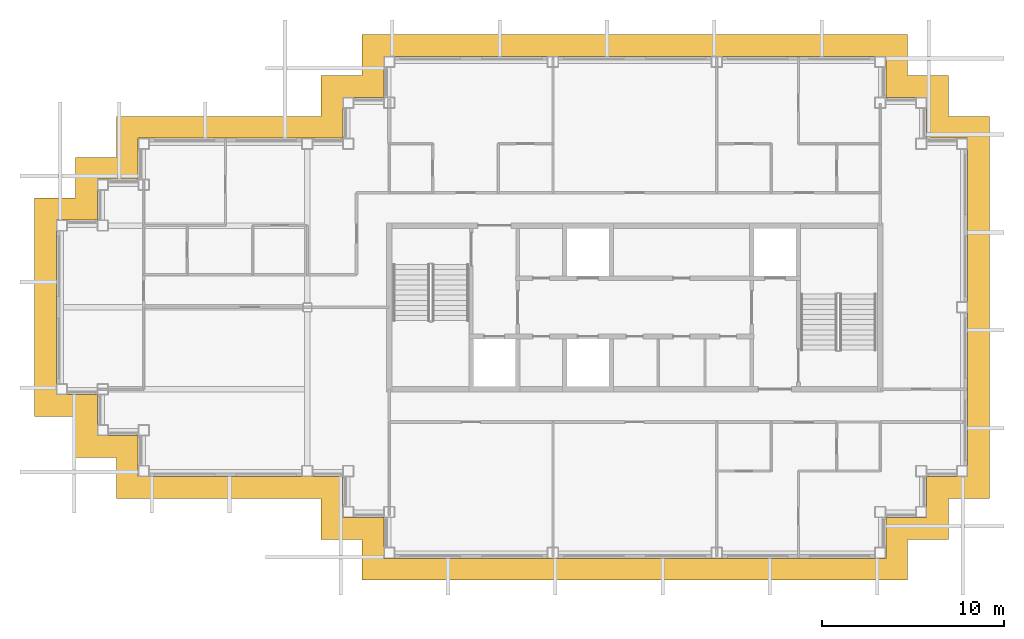
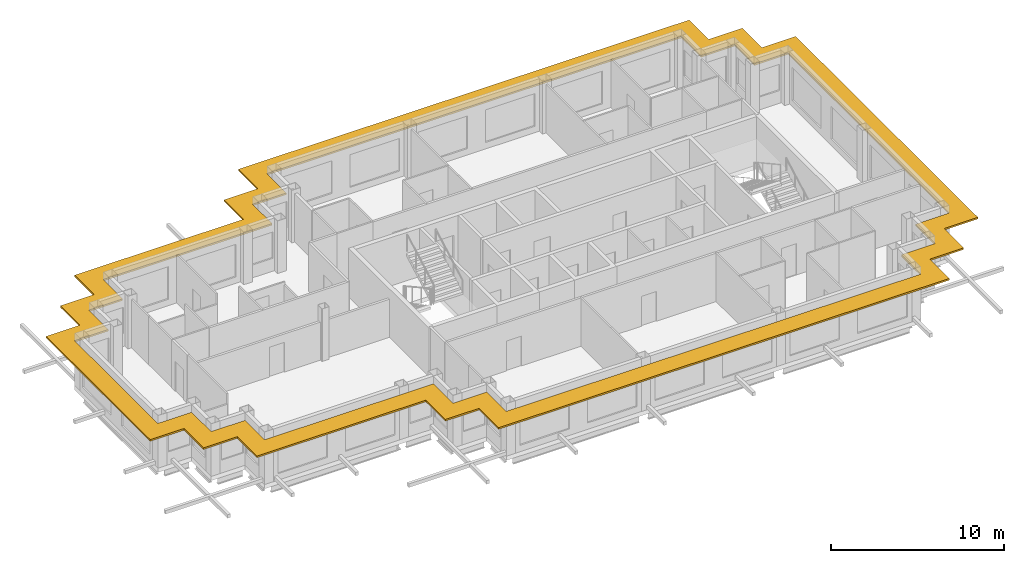
# One storey, part 10 of 11: 1 shading device.
"""IFC4 building model written with IfcOpenShell, lengths in metres."""

import ifcopenshell
import ifcopenshell.guid

model = None  # the IFC model being written
_history = None  # IfcOwnerHistory: only IFC2X3 demands one
_inside = {}  # id of a spatial element -> (the spatial element, [elements in it])
_under = {}  # id of a project, library or spatial element -> (it, [spatial elements below it])
_declared = {}  # id of a project -> (the project, [libraries it declares])
_typed = {}  # id of a type object -> (the type object, [elements of that type])
_made_of = {}  # id of a material, layer set ... -> (it, [elements and type objects made of it])


def new_model(schema):
    """Start an empty IFC model of exactly this schema.

    Asked for "IFC4X3", IfcOpenShell would pick the latest addendum, in which some entities
    have other attributes; the version numbers below select the first issue.
    IFC2X3 requires an IfcOwnerHistory on every rooted entity: one is made here for all.
    """
    global model, _history
    if schema == "IFC4X3":
        model = ifcopenshell.file(schema_version=(4, 3, 0, 0))
    else:
        model = ifcopenshell.file(schema=schema)
    _inside.clear()
    _under.clear()
    _declared.clear()
    _typed.clear()
    _made_of.clear()
    _history = None
    if model.schema == "IFC2X3":
        org = make("IfcOrganization", Name="unknown")
        user = make(
            "IfcPersonAndOrganization",
            ThePerson=make("IfcPerson", FamilyName="unknown"),
            TheOrganization=org,
        )
        app = make(
            "IfcApplication",
            ApplicationDeveloper=org,
            Version="unknown",
            ApplicationFullName="unknown",
            ApplicationIdentifier="unknown",
        )
        _history = make(
            "IfcOwnerHistory",
            OwningUser=user,
            OwningApplication=app,
            ChangeAction="ADDED",
            CreationDate=0,
        )
    return model


def make(cls, **values):
    """One entity of the class cls with the attributes given. An attribute that is None is left unset."""
    return model.create_entity(
        cls, **{name: value for name, value in values.items() if value is not None}
    )


def rooted(cls, **values):
    """An entity with a GlobalId (a new one), such as an element, a storey or a relation."""
    return make(cls, GlobalId=ifcopenshell.guid.new(), OwnerHistory=_history, **values)


def si_unit(unit_type, name, prefix=None):
    """IfcSIUnit, for example si_unit("LENGTHUNIT", "METRE", prefix="MILLI")."""
    return make("IfcSIUnit", UnitType=unit_type, Prefix=prefix, Name=name)


def assignment(units):
    """IfcUnitAssignment: the units of a project."""
    return None if units is None else make("IfcUnitAssignment", Units=units)


def point(xyz):
    """IfcCartesianPoint."""
    return None if xyz is None else make("IfcCartesianPoint", Coordinates=xyz)


def direction(xyz):
    """IfcDirection."""
    return None if xyz is None else make("IfcDirection", DirectionRatios=xyz)


def frame(location, z_axis=None, x_axis=None):
    """IfcAxis2Placement3D, a coordinate frame: its origin and axes. An axis left out is left unset."""
    return make(
        "IfcAxis2Placement3D",
        Location=point(location),
        Axis=direction(z_axis),
        RefDirection=direction(x_axis),
    )


def origin():
    """The frame at (0, 0, 0) with its axes left unset."""
    return frame((0.0, 0.0, 0.0))


def place(relative_to, where):
    """IfcLocalPlacement: puts the frame where relative to a parent placement (None: the world)."""
    return make(
        "IfcLocalPlacement", PlacementRelTo=relative_to, RelativePlacement=where
    )


def context(
    kind, dimensions, precision=None, world=None, true_north=None, identifier=None
):
    """IfcGeometricRepresentationContext, for example the 3D "Model" context."""
    return make(
        "IfcGeometricRepresentationContext",
        ContextIdentifier=identifier,
        ContextType=kind,
        CoordinateSpaceDimension=dimensions,
        Precision=precision,
        WorldCoordinateSystem=world,
        TrueNorth=true_north,
    )


def subcontext(parent, identifier, kind, view, scale=None):
    """IfcGeometricRepresentationSubContext, for example "Body" below "Model"."""
    return make(
        "IfcGeometricRepresentationSubContext",
        ContextIdentifier=identifier,
        ContextType=kind,
        ParentContext=parent,
        TargetScale=scale,
        TargetView=view,
    )


def project(units=None, contexts=None):
    """IfcProject with its units and contexts."""
    return rooted(
        "IfcProject",
        Name="project",
        RepresentationContexts=contexts,
        UnitsInContext=assignment(units),
    )


def spatial(cls, under=None, at=None, **own):
    """A site, building, storey or space (cls), placed at a placement, below another one or the project."""
    s = rooted(cls, ObjectPlacement=at, **own)
    if under is not None:
        _under.setdefault(under.id(), (under, []))[1].append(s)
    return s


def polyline(points):
    """IfcPolyline through the points."""
    return make("IfcPolyline", Points=[point(p) for p in points])


def outline(outer, holes=None, kind="AREA"):
    """IfcArbitraryClosedProfileDef: a profile drawn as a closed curve; with holes, ...WithVoids."""
    if holes is None:
        return make("IfcArbitraryClosedProfileDef", ProfileType=kind, OuterCurve=outer)
    return make(
        "IfcArbitraryProfileDefWithVoids",
        ProfileType=kind,
        OuterCurve=outer,
        InnerCurves=holes,
    )


def extrude(swept, where, along, depth):
    """IfcExtrudedAreaSolid: the profile swept, set in the frame where, extruded along a direction by depth."""
    return make(
        "IfcExtrudedAreaSolid",
        SweptArea=swept,
        Position=where,
        ExtrudedDirection=direction(along),
        Depth=depth,
    )


def shape(context_of_items, identifier, shape_type, items):
    """IfcShapeRepresentation: the items that make up one representation, for example the "Body"."""
    return make(
        "IfcShapeRepresentation",
        ContextOfItems=context_of_items,
        RepresentationIdentifier=identifier,
        RepresentationType=shape_type,
        Items=items,
    )


def material(Name=None, Category=None):
    """IfcMaterial."""
    return make("IfcMaterial", Name=Name, Category=Category)


def layer(
    of_material, thickness, ventilated=None, Name=None, Category=None, Priority=None
):
    """IfcMaterialLayer: one layer of a wall or slab, of a material (None: an air gap)."""
    return make(
        "IfcMaterialLayer",
        Material=of_material,
        LayerThickness=thickness,
        IsVentilated=ventilated,
        Name=Name,
        Category=Category,
        Priority=Priority,
    )


def layer_set(layers, Name=None):
    """IfcMaterialLayerSet."""
    return make("IfcMaterialLayerSet", MaterialLayers=layers, LayerSetName=Name)


def made_of(thing, what):
    """Note that an element or type object is made of a material, layer set ...; save() writes the relation."""
    if what is not None:
        _made_of.setdefault(what.id(), (what, []))[1].append(thing)
    return thing


def type_object(cls, material=None, **own):
    """A type object (cls), such as IfcWallType, which elements share."""
    return made_of(rooted(cls, **own), material)


def element(
    cls,
    number,
    at=None,
    inside=None,
    cuts=None,
    type_object=None,
    material=None,
    context=None,
    identifier="Body",
    shape_type=None,
    held_by="IfcProductDefinitionShape",
    body=None,
    shapes=None,
    **own,
):
    """One element of the class cls, such as IfcWall. Its Tag is "e" and its number.

    at: its placement. inside: the storey or other place that contains it. cuts: it is an
    opening in that element (IfcRelVoidsElement). A single representation is given by context,
    identifier, shape_type and body (its items); several are given by shapes. held_by: the class
    of the entity that holds the representations. save() writes the other relations.
    """
    e = rooted(cls, Tag="e%d" % number, ObjectPlacement=at, **own)
    if body is not None:
        shapes = [shape(context, identifier, shape_type, body)]
    if shapes is not None:
        e.Representation = make(held_by, Representations=shapes)
    if inside is not None:
        _inside.setdefault(inside.id(), (inside, []))[1].append(e)
    if cuts is not None:
        rooted(
            "IfcRelVoidsElement", RelatingBuildingElement=cuts, RelatedOpeningElement=e
        )
    if type_object is not None:
        _typed.setdefault(type_object.id(), (type_object, []))[1].append(e)
    return made_of(e, material)


def aggregate(whole, parts):
    """IfcRelAggregates: a whole, such as a stair, and the parts it consists of."""
    return rooted("IfcRelAggregates", RelatingObject=whole, RelatedObjects=parts)


def save(model, path):
    """Write the relations noted so far, then the file.

    IfcRelAggregates (storeys below a building ...), IfcRelContainedInSpatialStructure (elements
    in a storey), IfcRelDefinesByType, IfcRelAssociatesMaterial and IfcRelDeclares: one each for
    every whole, place, type object, material and project.
    """
    for whole, parts in _under.values():
        aggregate(whole, parts)
    for where, things in _inside.values():
        rooted(
            "IfcRelContainedInSpatialStructure",
            RelatedElements=things,
            RelatingStructure=where,
        )
    for kind, things in _typed.values():
        rooted("IfcRelDefinesByType", RelatedObjects=things, RelatingType=kind)
    for what, things in _made_of.values():
        rooted("IfcRelAssociatesMaterial", RelatedObjects=things, RelatingMaterial=what)
    for by, libraries in _declared.values():
        rooted("IfcRelDeclares", RelatingContext=by, RelatedDefinitions=libraries)
    model.write(path)


model = new_model("IFC4")

# Units and contexts
model_context = context("Model", 3, precision=1e-05, world=origin(), true_north=direction((0.0, 1.0)))
body_context = subcontext(model_context, "Body", "Model", "MODEL_VIEW")
ifc_project = project(units=[si_unit("LENGTHUNIT", "METRE"), si_unit("AREAUNIT", "SQUARE_METRE"), si_unit("VOLUMEUNIT", "CUBIC_METRE"), si_unit("PLANEANGLEUNIT", "RADIAN"), si_unit("MASSUNIT", "GRAM", prefix="KILO")], contexts=[model_context])

# Site, building, storey
site_placement = place(None, origin())
site = spatial("IfcSite", under=ifc_project, at=site_placement, CompositionType="ELEMENT")
building_placement = place(site_placement, origin())
building = spatial("IfcBuilding", under=site, at=building_placement, Name="Caravel Reach Hotel and Residences", CompositionType="ELEMENT")
storey_placement = place(building_placement, frame((0.0, 0.0, 263.800048828125)))
storey = spatial("IfcBuildingStorey", under=building, at=storey_placement, Name="L67", CompositionType="ELEMENT", Elevation=263.800048828125)

# Shading device
ifc_material = material(Name="Black powder-coated aluminium", Category="aluminium")
ifc_layer = layer(ifc_material, 0.1201171875)
ifc_layer_set = layer_set([ifc_layer], Name="SS1 Sunshade band 1200")
shading_device_type = type_object("IfcShadingDeviceType", Name="SS1 Sunshade band 1200", PredefinedType="USERDEFINED", material=ifc_layer_set)
shading_device_placement = place(storey_placement, frame((0.0, 0.0, 3.0400390625)))
element("IfcShadingDevice", 1, at=shading_device_placement, inside=storey, type_object=shading_device_type, Name="Sunshade L67 1", ObjectType="SUNSHADE", PredefinedType="USERDEFINED", context=body_context, shape_type="SweptSolid", body=[
    extrude(outline(polyline([(3.0, 16.5), (14.25, 16.5), (14.25, 14.25), (16.5, 14.25), (16.5, 12.0), (46.5, 12.0), (46.5, 14.25), (48.75, 14.25), (48.75, 16.5), (51.0, 16.5), (51.0, 37.5), (48.75, 37.5), (48.75, 39.75), (46.5, 39.75), (46.5, 42.0), (16.5, 42.0), (16.5, 39.75), (14.25, 39.75), (14.25, 37.5), (3.0, 37.5), (3.0, 35.25), (0.75, 35.25), (0.75, 33.0), (-1.5, 33.0), (-1.5, 21.0), (0.75, 21.0), (0.75, 18.75), (3.0, 18.75), (3.0, 16.5)]), holes=[polyline([(15.449951171875, 15.449951171875), (15.449951171875, 17.699951171875), (4.199951171875, 17.699951171875), (4.199951171875, 19.949951171875), (1.949951171875, 19.949951171875), (1.949951171875, 22.199951171875), (-0.300048828125, 22.199951171875), (-0.300048828125, 31.800048828125), (1.949951171875, 31.800048828125), (1.949951171875, 34.050048828125), (4.199951171875, 34.050048828125), (4.199951171875, 36.300048828125), (15.449951171875, 36.300048828125), (15.449951171875, 38.550048828125), (17.699951171875, 38.550048828125), (17.699951171875, 40.800048828125), (45.300048828125, 40.800048828125), (45.300048828125, 38.550048828125), (47.550048828125, 38.550048828125), (47.550048828125, 36.300048828125), (49.800048828125, 36.300048828125), (49.800048828125, 17.699951171875), (47.550048828125, 17.699951171875), (47.550048828125, 15.449951171875), (45.300048828125, 15.449951171875), (45.300048828125, 13.199951171875), (17.699951171875, 13.199951171875), (17.699951171875, 15.449951171875), (15.449951171875, 15.449951171875)])]), origin(), (0.0, 0.0, 1.0), 0.119873046875),
])

save(model, "model.ifc")
